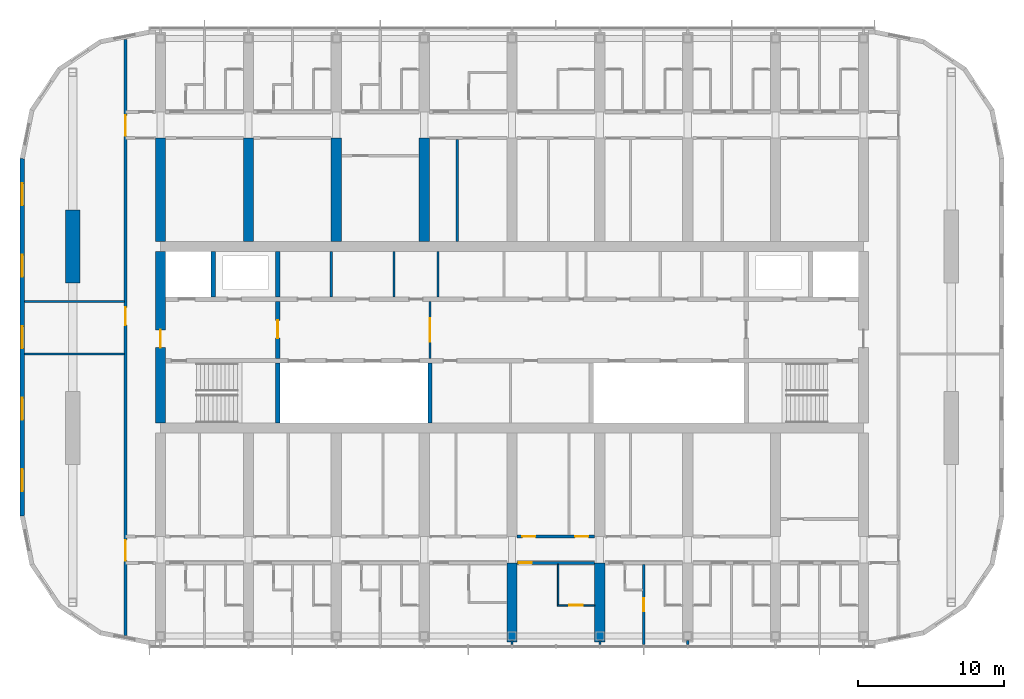
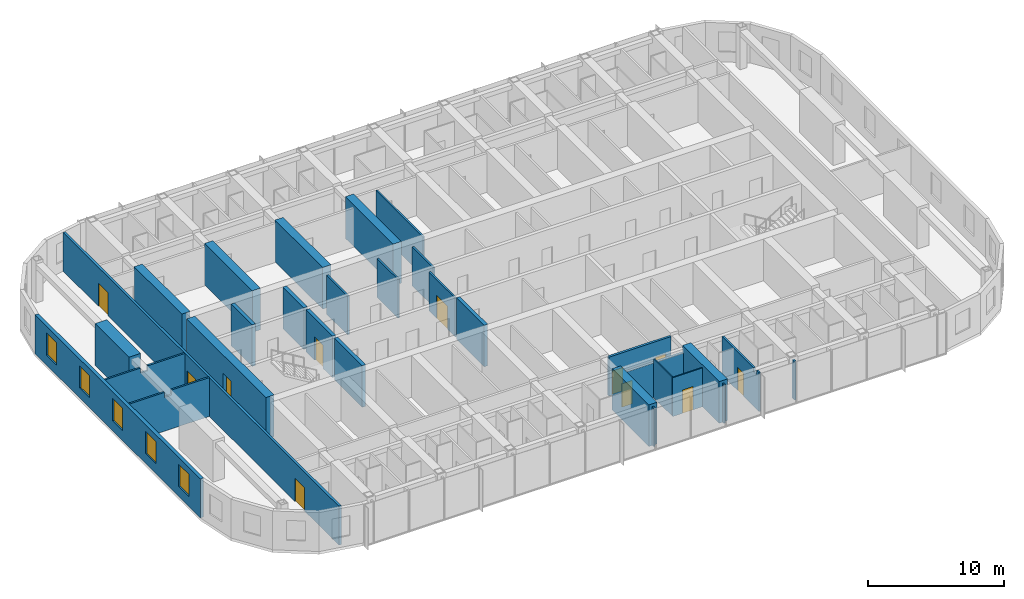
# One storey, part 12 of 24: 30 walls, 11 doors, 5 windows, 16 openings.
"""IFC4 building model written with IfcOpenShell, lengths in metres."""

from ifc_helpers import new_model, si_unit, direction, frame, frame_2d, origin, place, context, subcontext, project, spatial, polyline, rectangle, outline, extrude, material, layer, layer_set, type_object, element, fill, save


model = new_model("IFC4")

# Units and contexts
model_context = context("Model", 3, precision=1e-05, world=origin(), true_north=direction((0.0, 1.0)))
body_context = subcontext(model_context, "Body", "Model", "MODEL_VIEW")
ifc_project = project(units=[si_unit("LENGTHUNIT", "METRE"), si_unit("AREAUNIT", "SQUARE_METRE"), si_unit("VOLUMEUNIT", "CUBIC_METRE"), si_unit("PLANEANGLEUNIT", "RADIAN"), si_unit("MASSUNIT", "GRAM", prefix="KILO")], contexts=[model_context])

# Site, building, storey
site_placement = place(None, origin())
site = spatial("IfcSite", under=ifc_project, at=site_placement, CompositionType="ELEMENT")
building_placement = place(site_placement, origin())
building = spatial("IfcBuilding", under=site, at=building_placement, Name="Orbita Commons", CompositionType="ELEMENT")
storey_placement = place(building_placement, frame((0.0, 0.0, 239.050048828125)))
storey = spatial("IfcBuildingStorey", under=building, at=storey_placement, Name="L59", CompositionType="ELEMENT", Elevation=239.050048828125)

# Wall
ifc_material_1 = material(Name="Concrete C50/60", Category="concrete")
ifc_layer_1 = layer(ifc_material_1, 0.300048828125)
ifc_layer_set_1 = layer_set([ifc_layer_1], Name="Concrete C50/60")
wall_type_1 = type_object("IfcWallType", Name="Core inner wall 300 C50/60", PredefinedType="SHEAR", material=ifc_layer_set_1)
wall_1_placement = place(storey_placement, frame((26.0, 26.14990234375, 0.0), z_axis=(0.0, 0.0, 1.0), x_axis=(0.0, 1.0, 0.0)))
element("IfcWall", 1, at=wall_1_placement, inside=storey, type_object=wall_type_1, Name="Stair S1 wall L59", PredefinedType="SHEAR", context=body_context, shape_type="SweptSolid", body=[
    extrude(rectangle(XDim=4.10009765625, YDim=0.300048828125, at=frame_2d((2.050048828125, 0.0))), origin(), (0.0, 0.0, 1.0), 3.75),
])

# Wall, opening, door
wall_2_placement = place(storey_placement, frame((26.0, 30.550048828125, 0.0), z_axis=(0.0, 0.0, 1.0), x_axis=(0.0, 1.0, 0.0)))
wall_2 = element("IfcWall", 2, at=wall_2_placement, inside=storey, type_object=wall_type_1, Name="Firefighting lobby wall west L59", PredefinedType="SHEAR", context=body_context, shape_type="SweptSolid", body=[
    extrude(rectangle(XDim=3.89990234375, YDim=0.300048828125, at=frame_2d((1.949951171875, 0.0))), origin(), (0.0, 0.0, 1.0), 3.75),
])
opening_1_placement = place(wall_2_placement, frame((1.39990234375, 0.0, 0.0)))
opening_1 = element("IfcOpeningElement", 3, at=opening_1_placement, cuts=wall_2, Name="Opening D04", PredefinedType="OPENING", context=body_context, shape_type="SweptSolid", body=[
    extrude(rectangle(XDim=1.199951171875, YDim=2.10009765625, at=frame_2d((0.60009765625, 1.050048828125))), frame((0.0, 0.159912109375, 0.0), z_axis=(0.0, -1.0, 0.0), x_axis=(1.0, 0.0, 0.0)), (0.0, 0.0, 1.0), 0.320068359375),
])
ifc_material_2 = material(Name="Steel-faced fire door leaf", Category="steel")
door_type_1 = type_object("IfcDoorType", Name="Service door 20 min 1200x2100", OperationType="SINGLE_SWING_LEFT", PredefinedType="DOOR", material=ifc_material_2)
door_1_placement = place(opening_1_placement, origin())
door_1 = element("IfcDoor", 4, at=door_1_placement, inside=storey, type_object=door_type_1, Name="Lift lobby door west", OperationType="SINGLE_SWING_LEFT", OverallHeight=2.10009765625, OverallWidth=1.199951171875, PredefinedType="DOOR", context=body_context, shape_type="SweptSolid", body=[
    extrude(rectangle(XDim=1.199951171875, YDim=2.10009765625, at=frame_2d((0.60009765625, 1.050048828125))), frame((0.0, 0.02490234375, 0.0), z_axis=(0.0, -1.0, 0.0), x_axis=(1.0, 0.0, 0.0)), (0.0, 0.0, 1.0), 0.050048828125),
])
fill(opening_1, door_1)

# Walls
for number, where, z_axis, x_axis, name in (
    (5, (21.60009765625, 34.75, 0.0), (0.0, 0.0, 1.0), (0.0, 1.0, 0.0), "Firefighting lift FL1 shaft wall L59"),
    (6, (26.0, 34.75, 0.0), (0.0, 0.0, 1.0), (0.0, 1.0, 0.0), "Riser wall west L59"),
):
    element("IfcWall", number, at=place(storey_placement, frame(where, z_axis=z_axis, x_axis=x_axis)), inside=storey, type_object=wall_type_1, Name=name, PredefinedType="SHEAR", context=body_context, shape_type="SweptSolid", body=[
        extrude(rectangle(XDim=3.10009765625, YDim=0.300048828125, at=frame_2d((1.550048828125, 0.0))), origin(), (0.0, 0.0, 1.0), 3.75),
    ])
wall_3_placement = place(storey_placement, frame((36.39990234375, 26.14990234375, 0.0), z_axis=(0.0, 0.0, 1.0), x_axis=(0.0, 1.0, 0.0)))
element("IfcWall", 7, at=wall_3_placement, inside=storey, type_object=wall_type_1, Name="Hoistway division wall L59", PredefinedType="SHEAR", context=body_context, shape_type="SweptSolid", body=[
    extrude(rectangle(XDim=4.10009765625, YDim=0.300048828125, at=frame_2d((2.050048828125, 0.0))), origin(), (0.0, 0.0, 1.0), 3.75),
])

# Wall, opening, door
ifc_material_3 = material(Name="Concrete blockwork", Category="masonry")
ifc_layer_2 = layer(ifc_material_3, 0.14990234375)
ifc_layer_set_2 = layer_set([ifc_layer_2], Name="Concrete blockwork")
wall_type_2 = type_object("IfcWallType", Name="Core partition 150 blockwork", PredefinedType="SOLIDWALL", material=ifc_layer_set_2)
wall_4_placement = place(storey_placement, frame((36.39990234375, 30.550048828125, 0.0), z_axis=(0.0, 0.0, 1.0), x_axis=(0.0, 1.0, 0.0)))
wall_4 = element("IfcWall", 8, at=wall_4_placement, inside=storey, type_object=wall_type_2, Name="Core partition 150 blockwork L59", PredefinedType="SOLIDWALL", context=body_context, shape_type="SweptSolid", body=[
    extrude(rectangle(XDim=3.89990234375, YDim=0.14990234375, at=frame_2d((1.949951171875, 0.0))), origin(), (0.0, 0.0, 1.0), 3.5),
])
opening_2_placement = place(wall_4_placement, frame((1.14990234375, 0.0, 0.0)))
opening_2 = element("IfcOpeningElement", 9, at=opening_2_placement, cuts=wall_4, Name="Opening D10", PredefinedType="OPENING", context=body_context, shape_type="SweptSolid", body=[
    extrude(rectangle(XDim=1.60009765625, YDim=2.10009765625, at=frame_2d((0.800048828125, 1.050048828125))), frame((0.0, 0.0849609375, 0.0), z_axis=(0.0, -1.0, 0.0), x_axis=(1.0, 0.0, 0.0)), (0.0, 0.0, 1.0), 0.169921875),
])
ifc_material_4 = material(Name="Steel-faced fire door leaf", Category="steel")
door_type_2 = type_object("IfcDoorType", Name="Double corridor door 20 min 1600x2100", OperationType="DOUBLE_DOOR_SINGLE_SWING", PredefinedType="DOOR", material=ifc_material_4)
door_2_placement = place(opening_2_placement, origin())
door_2 = element("IfcDoor", 10, at=door_2_placement, inside=storey, type_object=door_type_2, Name="Lift lobby screen doors", OperationType="DOUBLE_DOOR_SINGLE_SWING", OverallHeight=2.10009765625, OverallWidth=1.60009765625, PredefinedType="DOOR", context=body_context, shape_type="SweptSolid", body=[
    extrude(rectangle(XDim=1.60009765625, YDim=2.10009765625, at=frame_2d((0.800048828125, 1.050048828125))), frame((0.0, 0.02490234375, 0.0), z_axis=(0.0, -1.0, 0.0), x_axis=(1.0, 0.0, 0.0)), (0.0, 0.0, 1.0), 0.050048828125),
])
fill(opening_2, door_2)

# Walls
for number, where, z_axis, x_axis, name in (
    (11, (29.65087890625, 34.75, 0.0), (0.0, 0.0, 1.0), (0.0, 1.0, 0.0), "Core partition 150 blockwork L59"),
    (12, (33.9462890625, 34.75, 0.0), (0.0, 0.0, 1.0), (0.0, 1.0, 0.0), "Core partition 150 blockwork L59"),
    (13, (36.9462890625, 34.75, 0.0), (0.0, 0.0, 1.0), (0.0, 1.0, 0.0), "Core partition 150 blockwork L59"),
):
    element("IfcWall", number, at=place(storey_placement, frame(where, z_axis=z_axis, x_axis=x_axis)), inside=storey, type_object=wall_type_2, Name=name, PredefinedType="SOLIDWALL", context=body_context, shape_type="SweptSolid", body=[
        extrude(rectangle(XDim=3.10009765625, YDim=0.14990234375, at=frame_2d((1.550048828125, 0.0))), origin(), (0.0, 0.0, 1.0), 3.5),
    ])

# Wall, opening, door
ifc_material_5 = material(Name="Concrete C50/60", Category="concrete")
ifc_layer_3 = layer(ifc_material_5, 0.699951171875)
ifc_layer_set_3 = layer_set([ifc_layer_3], Name="Concrete C50/60")
wall_type_3 = type_object("IfcWallType", Name="Core wall 700 C50/60", PredefinedType="SHEAR", material=ifc_layer_set_3)
wall_5_placement = place(storey_placement, frame((18.0, 26.14990234375, 0.0), z_axis=(0.0, 0.0, 1.0), x_axis=(0.0, 1.0, 0.0)))
wall_5 = element("IfcWall", 14, at=wall_5_placement, inside=storey, type_object=wall_type_3, Name="Core end wall west L59", PredefinedType="SHEAR", context=body_context, shape_type="SweptSolid", body=[
    extrude(rectangle(XDim=11.7001953125, YDim=0.699951171875, at=frame_2d((5.85009765625, 0.0))), origin(), (0.0, 0.0, 1.0), 3.75),
])
opening_3_placement = place(wall_5_placement, frame((5.14990234375, 0.0, 0.0)))
opening_3 = element("IfcOpeningElement", 15, at=opening_3_placement, cuts=wall_5, Name="Opening D01", PredefinedType="OPENING", context=body_context, shape_type="SweptSolid", body=[
    extrude(rectangle(XDim=1.199951171875, YDim=2.10009765625, at=frame_2d((0.60009765625, 1.050048828125))), frame((0.0, 0.35986328125, 0.0), z_axis=(0.0, -1.0, 0.0), x_axis=(1.0, 0.0, 0.0)), (0.0, 0.0, 1.0), 0.719970703125),
])
ifc_material_6 = material(Name="Steel-faced fire door leaf", Category="steel")
door_type_3 = type_object("IfcDoorType", Name="Fire door 90 min 1200x2100", OperationType="SINGLE_SWING_LEFT", PredefinedType="DOOR", material=ifc_material_6)
door_3_placement = place(opening_3_placement, origin())
door_3 = element("IfcDoor", 16, at=door_3_placement, inside=storey, type_object=door_type_3, Name="Firefighting lobby west door", OperationType="SINGLE_SWING_LEFT", OverallHeight=2.10009765625, OverallWidth=1.199951171875, PredefinedType="DOOR", context=body_context, shape_type="SweptSolid", body=[
    extrude(rectangle(XDim=1.199951171875, YDim=2.10009765625, at=frame_2d((0.60009765625, 1.050048828125))), frame((0.0, 0.02490234375, 0.0), z_axis=(0.0, -1.0, 0.0), x_axis=(1.0, 0.0, 0.0)), (0.0, 0.0, 1.0), 0.050048828125),
])
fill(opening_3, door_3)

ifc_material_7 = material(Name="Concrete blockwork", Category="masonry")
ifc_layer_4 = layer(ifc_material_7, 0.199951171875)
ifc_layer_set_4 = layer_set([ifc_layer_4], Name="Concrete blockwork")
wall_type_4 = type_object("IfcWallType", Name="Corridor wall 200 blockwork", PredefinedType="SOLIDWALL", material=ifc_layer_set_4)
wall_6_placement = place(storey_placement, frame((42.35009765625, 16.60009765625, 0.0), z_axis=(0.0, 0.0, 1.0), x_axis=(1.0, 0.0, 0.0)))
wall_6 = element("IfcWall", 17, at=wall_6_placement, inside=storey, type_object=wall_type_4, Name="Corridor wall 200 blockwork L59", PredefinedType="SOLIDWALL", context=body_context, shape_type="SweptSolid", body=[
    extrude(outline(polyline([(0.0, 0.0), (5.2998046875, 0.0), (5.300048828125, 3.099853515625), (0.0, 3.099853515625), (0.0, 0.0)])), frame((0.0, 0.10009765625, 0.0), z_axis=(0.0, -1.0, 0.0), x_axis=(1.0, 0.0, 0.0)), (0.0, 0.0, 1.0), 0.199951171875),
])
opening_4_placement = place(wall_6_placement, frame((0.10009765625, 0.0, 0.0)))
opening_4 = element("IfcOpeningElement", 18, at=opening_4_placement, cuts=wall_6, Name="Opening D11", PredefinedType="OPENING", context=body_context, shape_type="SweptSolid", body=[
    extrude(rectangle(XDim=0.89990234375, YDim=2.10009765625, at=frame_2d((0.449951171875, 1.050048828125))), frame((0.0, 0.10986328125, 0.0), z_axis=(0.0, -1.0, 0.0), x_axis=(1.0, 0.0, 0.0)), (0.0, 0.0, 1.0), 0.219970703125),
])
ifc_material_8 = material(Name="Steel-faced fire door leaf", Category="steel")
door_type_4 = type_object("IfcDoorType", Name="Corridor door 20 min 900x2100", OperationType="SINGLE_SWING_LEFT", PredefinedType="DOOR", material=ifc_material_8)
door_4_placement = place(opening_4_placement, origin())
door_4 = element("IfcDoor", 19, at=door_4_placement, inside=storey, type_object=door_type_4, Name="Studio apartment with kitchenette L59-S08 door", OperationType="SINGLE_SWING_LEFT", OverallHeight=2.10009765625, OverallWidth=0.89990234375, PredefinedType="DOOR", context=body_context, shape_type="SweptSolid", body=[
    extrude(rectangle(XDim=0.89990234375, YDim=2.10009765625, at=frame_2d((0.449951171875, 1.050048828125))), frame((0.0, 0.02490234375, 0.0), z_axis=(0.0, -1.0, 0.0), x_axis=(1.0, 0.0, 0.0)), (0.0, 0.0, 1.0), 0.050048828125),
])
fill(opening_4, door_4)

# Wall, openings, doors
wall_7_placement = place(storey_placement, frame((15.60009765625, 11.646240234375, 0.0), z_axis=(0.0, 0.0, 1.0), x_axis=(0.0, 1.0, 0.0)))
wall_7 = element("IfcWall", 20, at=wall_7_placement, inside=storey, type_object=wall_type_4, Name="Corridor wall 200 blockwork L59", PredefinedType="SOLIDWALL", context=body_context, shape_type="SweptSolid", body=[
    extrude(rectangle(XDim=40.70751953125, YDim=0.199951171875, at=frame_2d((20.353759765625, 0.0))), origin(), (0.0, 0.0, 1.0), 3.5),
])
opening_5_placement = place(wall_7_placement, frame((21.19384765625, 0.0, 0.0)))
opening_5 = element("IfcOpeningElement", 21, at=opening_5_placement, cuts=wall_7, Name="Opening D15", PredefinedType="OPENING", context=body_context, shape_type="SweptSolid", body=[
    extrude(rectangle(XDim=1.199951171875, YDim=2.10009765625, at=frame_2d((0.60009765625, 1.050048828125))), frame((0.0, 0.10986328125, 0.0), z_axis=(0.0, -1.0, 0.0), x_axis=(1.0, 0.0, 0.0)), (0.0, 0.0, 1.0), 0.219970703125),
])
opening_6_placement = place(wall_7_placement, frame((5.103759765625, 0.0, 0.0)))
opening_6 = element("IfcOpeningElement", 22, at=opening_6_placement, cuts=wall_7, Name="Opening D08", PredefinedType="OPENING", context=body_context, shape_type="SweptSolid", body=[
    extrude(rectangle(XDim=1.39990234375, YDim=2.10009765625, at=frame_2d((0.699951171875, 1.050048828125))), frame((0.0, 0.10986328125, 0.0), z_axis=(0.0, -1.0, 0.0), x_axis=(1.0, 0.0, 0.0)), (0.0, 0.0, 1.0), 0.219970703125),
])
opening_7_placement = place(wall_7_placement, frame((34.103759765625, 0.0, 0.0)))
opening_7 = element("IfcOpeningElement", 23, at=opening_7_placement, cuts=wall_7, Name="Opening D08", PredefinedType="OPENING", context=body_context, shape_type="SweptSolid", body=[
    extrude(rectangle(XDim=1.39990234375, YDim=2.10009765625, at=frame_2d((0.699951171875, 1.050048828125))), frame((0.0, 0.10986328125, 0.0), z_axis=(0.0, -1.0, 0.0), x_axis=(1.0, 0.0, 0.0)), (0.0, 0.0, 1.0), 0.219970703125),
])
ifc_material_9 = material(Name="Steel-faced fire door leaf", Category="steel")
door_type_5 = type_object("IfcDoorType", Name="Corridor door 20 min 1200x2100", OperationType="SINGLE_SWING_LEFT", PredefinedType="DOOR", material=ifc_material_9)
door_5_placement = place(opening_5_placement, origin())
door_5 = element("IfcDoor", 24, at=door_5_placement, inside=storey, type_object=door_type_5, Name="Floor kitchen door", OperationType="SINGLE_SWING_LEFT", OverallHeight=2.10009765625, OverallWidth=1.199951171875, PredefinedType="DOOR", context=body_context, shape_type="SweptSolid", body=[
    extrude(rectangle(XDim=1.199951171875, YDim=2.10009765625, at=frame_2d((0.60009765625, 1.050048828125))), frame((0.0, 0.02490234375, 0.0), z_axis=(0.0, -1.0, 0.0), x_axis=(1.0, 0.0, 0.0)), (0.0, 0.0, 1.0), 0.050048828125),
])
fill(opening_5, door_5)
ifc_material_10 = material(Name="Steel-faced fire door leaf", Category="steel")
door_type_6 = type_object("IfcDoorType", Name="Double corridor door 20 min 1400x2100", OperationType="DOUBLE_DOOR_SINGLE_SWING", PredefinedType="DOOR", material=ifc_material_10)
door_6_placement = place(opening_6_placement, origin())
door_6 = element("IfcDoor", 25, at=door_6_placement, inside=storey, type_object=door_type_6, Name="Lounge doors", OperationType="DOUBLE_DOOR_SINGLE_SWING", OverallHeight=2.10009765625, OverallWidth=1.39990234375, PredefinedType="DOOR", context=body_context, shape_type="SweptSolid", body=[
    extrude(rectangle(XDim=1.39990234375, YDim=2.10009765625, at=frame_2d((0.699951171875, 1.050048828125))), frame((0.0, 0.02490234375, 0.0), z_axis=(0.0, -1.0, 0.0), x_axis=(1.0, 0.0, 0.0)), (0.0, 0.0, 1.0), 0.050048828125),
])
fill(opening_6, door_6)
door_7_placement = place(opening_7_placement, origin())
door_7 = element("IfcDoor", 26, at=door_7_placement, inside=storey, type_object=door_type_6, Name="Lounge doors", OperationType="DOUBLE_DOOR_SINGLE_SWING", OverallHeight=2.10009765625, OverallWidth=1.39990234375, PredefinedType="DOOR", context=body_context, shape_type="SweptSolid", body=[
    extrude(rectangle(XDim=1.39990234375, YDim=2.10009765625, at=frame_2d((0.699951171875, 1.050048828125))), frame((0.0, 0.02490234375, 0.0), z_axis=(0.0, -1.0, 0.0), x_axis=(1.0, 0.0, 0.0)), (0.0, 0.0, 1.0), 0.050048828125),
])
fill(opening_7, door_7)

ifc_material_11 = material(Name="Hollow concrete block 200", Category="concrete")
ifc_layer_5 = layer(ifc_material_11, 0.199951171875)
ifc_layer_set_5 = layer_set([ifc_layer_5], Name="Hollow concrete block 200")
wall_type_5 = type_object("IfcWallType", Name="Corridor wall 200 hollow concrete block", PredefinedType="SOLIDWALL", material=ifc_layer_set_5)
wall_8_placement = place(storey_placement, frame((42.35009765625, 18.39990234375, 0.0), z_axis=(0.0, 0.0, 1.0), x_axis=(1.0, 0.0, 0.0)))
wall_8 = element("IfcWall", 27, at=wall_8_placement, inside=storey, type_object=wall_type_5, Name="Corridor wall 200 hollow concrete block L59", PredefinedType="SOLIDWALL", context=body_context, shape_type="SweptSolid", body=[
    extrude(rectangle(XDim=5.2998046875, YDim=0.199951171875, at=frame_2d((2.64990234375, 0.0))), origin(), (0.0, 0.0, 1.0), 3.5),
])
opening_8_placement = place(wall_8_placement, frame((0.35009765625, 0.0, 0.0)))
opening_8 = element("IfcOpeningElement", 28, at=opening_8_placement, cuts=wall_8, Name="Opening D11", PredefinedType="OPENING", context=body_context, shape_type="SweptSolid", body=[
    extrude(rectangle(XDim=0.89990234375, YDim=2.10009765625, at=frame_2d((0.449951171875, 1.050048828125))), frame((0.0, 0.10986328125, 0.0), z_axis=(0.0, -1.0, 0.0), x_axis=(1.0, 0.0, 0.0)), (0.0, 0.0, 1.0), 0.219970703125),
])
opening_9_placement = place(wall_8_placement, frame((3.9599609375, 0.0, 0.0)))
opening_9 = element("IfcOpeningElement", 29, at=opening_9_placement, cuts=wall_8, Name="Opening D11", PredefinedType="OPENING", context=body_context, shape_type="SweptSolid", body=[
    extrude(rectangle(XDim=0.89990234375, YDim=2.10009765625, at=frame_2d((0.449951171875, 1.050048828125))), frame((0.0, 0.10986328125, 0.0), z_axis=(0.0, -1.0, 0.0), x_axis=(1.0, 0.0, 0.0)), (0.0, 0.0, 1.0), 0.219970703125),
])
door_8_placement = place(opening_8_placement, origin())
door_8 = element("IfcDoor", 30, at=door_8_placement, inside=storey, type_object=door_type_4, Name="Linen store L59-BDS42 door", OperationType="SINGLE_SWING_LEFT", OverallHeight=2.10009765625, OverallWidth=0.89990234375, PredefinedType="DOOR", context=body_context, shape_type="SweptSolid", body=[
    extrude(rectangle(XDim=0.89990234375, YDim=2.10009765625, at=frame_2d((0.449951171875, 1.050048828125))), frame((0.0, 0.02490234375, 0.0), z_axis=(0.0, -1.0, 0.0), x_axis=(1.0, 0.0, 0.0)), (0.0, 0.0, 1.0), 0.050048828125),
])
fill(opening_8, door_8)
door_9_placement = place(opening_9_placement, origin())
door_9 = element("IfcDoor", 31, at=door_9_placement, inside=storey, type_object=door_type_4, Name="Battery and UPS room L59-BDS42n door", OperationType="SINGLE_SWING_LEFT", OverallHeight=2.10009765625, OverallWidth=0.89990234375, PredefinedType="DOOR", context=body_context, shape_type="SweptSolid", body=[
    extrude(rectangle(XDim=0.89990234375, YDim=2.10009765625, at=frame_2d((0.449951171875, 1.050048828125))), frame((0.0, 0.02490234375, 0.0), z_axis=(0.0, -1.0, 0.0), x_axis=(1.0, 0.0, 0.0)), (0.0, 0.0, 1.0), 0.050048828125),
])
fill(opening_9, door_9)

# Walls
ifc_material_12 = material(Name="Concrete C50/60", Category="concrete")
ifc_layer_6 = layer(ifc_material_12, 0.699951171875)
ifc_layer_set_6 = layer_set([ifc_layer_6], Name="Concrete C50/60")
wall_type_6 = type_object("IfcWallType", Name="Cross wall 700 C50/60", PredefinedType="SHEAR", material=ifc_layer_set_6)
for number, where, z_axis, x_axis, name in (
    (32, (18.0, 38.550048828125, 0.0), (0.0, 0.0, 1.0), (0.0, 1.0, 0.0), "Cross wall 4 north inner L59"),
    (33, (24.0, 38.550048828125, 0.0), (0.0, 0.0, 1.0), (0.0, 1.0, 0.0), "Cross wall 5 north inner L59"),
    (34, (30.0, 38.550048828125, 0.0), (0.0, 0.0, 1.0), (0.0, 1.0, 0.0), "Cross wall 6 north inner L59"),
    (35, (36.0, 38.550048828125, 0.0), (0.0, 0.0, 1.0), (0.0, 1.0, 0.0), "Cross wall 7 north inner L59"),
):
    element("IfcWall", number, at=place(storey_placement, frame(where, z_axis=z_axis, x_axis=x_axis)), inside=storey, type_object=wall_type_6, Name=name, PredefinedType="SHEAR", context=body_context, shape_type="SweptSolid", body=[
        extrude(rectangle(XDim=7.050048828125, YDim=0.699951171875, at=frame_2d((3.52490234375, 0.0))), origin(), (0.0, 0.0, 1.0), 3.75),
    ])
for number, where, z_axis, x_axis, name in (
    (36, (42.0, 11.199951171875, 0.0), (0.0, 0.0, 1.0), (0.0, 1.0, 0.0), "Cross wall 8 south outer L59"),
    (37, (48.0, 11.199951171875, 0.0), (0.0, 0.0, 1.0), (0.0, 1.0, 0.0), "Cross wall 9 south outer L59"),
):
    element("IfcWall", number, at=place(storey_placement, frame(where, z_axis=z_axis, x_axis=x_axis)), inside=storey, type_object=wall_type_6, Name=name, PredefinedType="SHEAR", context=body_context, shape_type="SweptSolid", body=[
        extrude(rectangle(XDim=5.400146484375, YDim=0.699951171875, at=frame_2d((2.7001953125, 0.0))), origin(), (0.0, 0.0, 1.0), 3.75),
    ])

# Wall, opening, door
ifc_material_13 = material(Name="Moisture-resistant plasterboard on steel studs", Category="steel")
ifc_layer_7 = layer(ifc_material_13, 0.10009765625)
ifc_layer_set_7 = layer_set([ifc_layer_7], Name="Moisture-resistant plasterboard on steel studs")
wall_type_7 = type_object("IfcWallType", Name="En-suite partition 100", PredefinedType="PARTITIONING", material=ifc_layer_set_7)
wall_9_placement = place(storey_placement, frame((47.64990234375, 13.699951171875, 0.0), z_axis=(0.0, 0.0, 1.0), x_axis=(-1.0, 0.0, 0.0)))
wall_9 = element("IfcWall", 38, at=wall_9_placement, inside=storey, type_object=wall_type_7, Name="En-suite partition 100 L59", PredefinedType="PARTITIONING", context=body_context, shape_type="SweptSolid", body=[
    extrude(rectangle(XDim=2.5498046875, YDim=0.10009765625, at=frame_2d((1.27490234375, 0.0))), origin(), (0.0, 0.0, 1.0), 3.5),
])
opening_10_placement = place(wall_9_placement, frame((0.824951171875, 0.0, 0.0)))
opening_10 = element("IfcOpeningElement", 39, at=opening_10_placement, cuts=wall_9, Name="Opening D09", PredefinedType="OPENING", context=body_context, shape_type="SweptSolid", body=[
    extrude(rectangle(XDim=0.89990234375, YDim=2.10009765625, at=frame_2d((0.449951171875, 1.050048828125))), frame((0.0, 0.06005859375, 0.0), z_axis=(0.0, -1.0, 0.0), x_axis=(1.0, 0.0, 0.0)), (0.0, 0.0, 1.0), 0.1201171875),
])
ifc_material_14 = material(Name="Laminated timber door leaf", Category="wood")
door_type_7 = type_object("IfcDoorType", Name="En-suite door 900x2100", OperationType="SINGLE_SWING_RIGHT", PredefinedType="DOOR", material=ifc_material_14)
door_10_placement = place(opening_10_placement, origin())
door_10 = element("IfcDoor", 40, at=door_10_placement, inside=storey, type_object=door_type_7, Name="En-suite L59-S08 door", OperationType="SINGLE_SWING_RIGHT", OverallHeight=2.10009765625, OverallWidth=0.89990234375, PredefinedType="DOOR", context=body_context, shape_type="SweptSolid", body=[
    extrude(rectangle(XDim=0.89990234375, YDim=2.10009765625, at=frame_2d((0.449951171875, 1.050048828125))), frame((0.0, 0.02490234375, 0.0), z_axis=(0.0, -1.0, 0.0), x_axis=(1.0, 0.0, 0.0)), (0.0, 0.0, 1.0), 0.050048828125),
])
fill(opening_10, door_10)

# Walls
wall_10_placement = place(storey_placement, frame((45.14990234375, 13.75, 0.0), z_axis=(0.0, 0.0, 1.0), x_axis=(0.0, 1.0, 0.0)))
element("IfcWall", 41, at=wall_10_placement, inside=storey, type_object=wall_type_7, Name="En-suite partition 100 L59", PredefinedType="PARTITIONING", context=body_context, shape_type="SweptSolid", body=[
    extrude(outline(polyline([(0.0, 0.0), (2.75, 0.0), (2.75, 3.099853515625), (2.701904296875, 3.099853515625), (2.699951171875, 3.5), (0.0, 3.5), (0.0, 0.0)])), frame((0.0, 0.050048828125, 0.0), z_axis=(0.0, -1.0, 0.0), x_axis=(1.0, 0.0, 0.0)), (0.0, 0.0, 1.0), 0.10009765625),
])
ifc_material_15 = material(Name="Concrete C50/60", Category="concrete")
ifc_layer_8 = layer(ifc_material_15, 1.0)
ifc_layer_set_8 = layer_set([ifc_layer_8], Name="Concrete C50/60")
wall_type_8 = type_object("IfcWallType", Name="End pier 1000x5000 C50/60", PredefinedType="SHEAR", material=ifc_layer_set_8)
wall_11_placement = place(storey_placement, frame((12.0, 35.699951171875, 0.0), z_axis=(0.0, 0.0, 1.0), x_axis=(0.0, 1.0, 0.0)))
element("IfcWall", 42, at=wall_11_placement, inside=storey, type_object=wall_type_8, Name="End pier 3/D L59", PredefinedType="SHEAR", context=body_context, shape_type="SweptSolid", body=[
    extrude(rectangle(XDim=5.0, YDim=1.0, at=frame_2d((2.5, 0.0))), origin(), (0.0, 0.0, 1.0), 3.75),
])

# Wall, opening, door
ifc_material_16 = material(Name="Gypsum plasterboard on steel studs", Category="steel")
ifc_layer_9 = layer(ifc_material_16, 0.14990234375)
ifc_layer_set_9 = layer_set([ifc_layer_9], Name="Gypsum plasterboard on steel studs")
wall_type_9 = type_object("IfcWallType", Name="Partition 150 plasterboard", PredefinedType="PARTITIONING", material=ifc_layer_set_9)
wall_12_placement = place(storey_placement, frame((51.0, 11.010009765625, 0.0), z_axis=(0.0, 0.0, 1.0), x_axis=(0.0, 1.0, 0.0)))
wall_12 = element("IfcWall", 43, at=wall_12_placement, inside=storey, type_object=wall_type_9, Name="Partition 150 plasterboard L59", PredefinedType="PARTITIONING", context=body_context, shape_type="SweptSolid", body=[
    extrude(outline(polyline([(0.0, 0.0), (5.489990234375, 0.0), (5.489990234375, 3.099853515625), (5.44189453125, 3.099853515625), (5.43994140625, 3.5), (0.7919921875, 3.5), (0.7900390625, 3.099853515625), (0.39208984375, 3.099853515625), (0.389892578125, 3.5), (0.0, 3.5), (0.0, 0.0)])), frame((0.0, 0.074951171875, 0.0), z_axis=(0.0, -1.0, 0.0), x_axis=(1.0, 0.0, 0.0)), (0.0, 0.0, 1.0), 0.14990234375),
])
opening_11_placement = place(wall_12_placement, frame((2.27001953125, 0.0, 0.0)))
opening_11 = element("IfcOpeningElement", 44, at=opening_11_placement, cuts=wall_12, Name="Opening D09", PredefinedType="OPENING", context=body_context, shape_type="SweptSolid", body=[
    extrude(rectangle(XDim=0.89990234375, YDim=2.10009765625, at=frame_2d((0.449951171875, 1.050048828125))), frame((0.0, 0.0849609375, 0.0), z_axis=(0.0, -1.0, 0.0), x_axis=(1.0, 0.0, 0.0)), (0.0, 0.0, 1.0), 0.169921875),
])
door_11_placement = place(opening_11_placement, origin())
door_11 = element("IfcDoor", 45, at=door_11_placement, inside=storey, type_object=door_type_7, Name="Guest suite bedroom L59-S10 door", OperationType="SINGLE_SWING_RIGHT", OverallHeight=2.10009765625, OverallWidth=0.89990234375, PredefinedType="DOOR", context=body_context, shape_type="SweptSolid", body=[
    extrude(rectangle(XDim=0.89990234375, YDim=2.10009765625, at=frame_2d((0.449951171875, 1.050048828125))), frame((0.0, 0.02490234375, 0.0), z_axis=(0.0, -1.0, 0.0), x_axis=(1.0, 0.0, 0.0)), (0.0, 0.0, 1.0), 0.050048828125),
])
fill(opening_11, door_11)

# Walls
wall_13_placement = place(storey_placement, frame((38.264892578125, 38.550048828125, 0.0), z_axis=(0.0, 0.0, 1.0), x_axis=(0.0, 1.0, 0.0)))
element("IfcWall", 46, at=wall_13_placement, inside=storey, type_object=wall_type_9, Name="Partition 150 plasterboard L59", PredefinedType="PARTITIONING", context=body_context, shape_type="SweptSolid", body=[
    extrude(rectangle(XDim=6.949951171875, YDim=0.14990234375, at=frame_2d((3.47509765625, 0.0))), origin(), (0.0, 0.0, 1.0), 3.5),
])
for number, where, z_axis, x_axis, name in (
    (47, (8.705078125, 30.85009765625, 0.0), (0.0, 0.0, 1.0), (1.0, 0.0, 0.0), "Partition 150 plasterboard L59"),
    (48, (8.705078125, 34.43994140625, 0.0), (0.0, 0.0, 1.0), (1.0, 0.0, 0.0), "Partition 150 plasterboard L59"),
):
    element("IfcWall", number, at=place(storey_placement, frame(where, z_axis=z_axis, x_axis=x_axis)), inside=storey, type_object=wall_type_9, Name=name, PredefinedType="PARTITIONING", context=body_context, shape_type="SweptSolid", body=[
        extrude(outline(polyline([(0.0, 0.0), (6.81982421875, 0.0), (6.820068359375, 3.5), (3.596923828125, 3.5), (3.594970703125, 3.050048828125), (2.9970703125, 3.050048828125), (2.9951171875, 3.5), (0.0, 3.5), (0.0, 0.0)])), frame((0.0, 0.074951171875, 0.0), z_axis=(0.0, -1.0, 0.0), x_axis=(1.0, 0.0, 0.0)), (0.0, 0.0, 1.0), 0.14990234375),
    ])
for number, where, z_axis, x_axis, name in (
    (49, (42.0, 11.300048828125, 0.0), (0.0, 0.0, 1.0), (0.0, -1.0, 0.0), "Partition 150 plasterboard L59"),
    (50, (48.0, 11.300048828125, 0.0), (0.0, 0.0, 1.0), (0.0, -1.0, 0.0), "Partition 150 plasterboard L59"),
    (51, (54.0, 11.300048828125, 0.0), (0.0, 0.0, 1.0), (0.0, -1.0, 0.0), "Partition 150 plasterboard L59"),
):
    element("IfcWall", number, at=place(storey_placement, frame(where, z_axis=z_axis, x_axis=x_axis)), inside=storey, type_object=wall_type_9, Name=name, PredefinedType="PARTITIONING", context=body_context, shape_type="SweptSolid", body=[
        extrude(rectangle(XDim=0.2900390625, YDim=0.14990234375, at=frame_2d((0.14501953125, 0.0))), origin(), (0.0, 0.0, 1.0), 3.5),
    ])

# Wall, openings, windows
ifc_material_17 = material(Name="Precast concrete C40/50, white board-marked finish", Category="concrete")
ifc_layer_10 = layer(ifc_material_17, 0.300048828125)
ifc_layer_set_10 = layer_set([ifc_layer_10], Name="Precast concrete C40/50, white board-marked finish")
wall_type_10 = type_object("IfcWallType", Name="Precast concrete end shield 300", PredefinedType="SOLIDWALL", material=ifc_layer_set_10)
wall_14_placement = place(storey_placement, frame((8.550048828125, 44.199951171875, 0.0), z_axis=(0.0, 0.0, 1.0), x_axis=(0.0, -1.0, 0.0)))
wall_14 = element("IfcWall", 52, at=wall_14_placement, inside=storey, type_object=wall_type_10, Name="End shield W L59", PredefinedType="SOLIDWALL", context=body_context, shape_type="SweptSolid", body=[
    extrude(outline(polyline([(-0.014892578125, -0.14990234375), (24.414794921875, -0.14990234375), (24.385009765625, 0.14990234375), (0.014892578125, 0.14990234375), (-0.014892578125, -0.14990234375)])), origin(), (0.0, 0.0, 1.0), 3.5),
])
opening_12_placement = place(wall_14_placement, frame((1.68994140625, 0.0, 0.89990234375)))
opening_12 = element("IfcOpeningElement", 53, at=opening_12_placement, cuts=wall_14, Name="Opening W01", PredefinedType="OPENING", context=body_context, shape_type="SweptSolid", body=[
    extrude(rectangle(XDim=1.5, YDim=2.0, at=frame_2d((0.75, 1.0))), frame((0.0, 0.159912109375, 0.0), z_axis=(0.0, -1.0, 0.0), x_axis=(1.0, 0.0, 0.0)), (0.0, 0.0, 1.0), 0.320068359375),
])
opening_13_placement = place(wall_14_placement, frame((6.570068359375, 0.0, 0.89990234375)))
opening_13 = element("IfcOpeningElement", 54, at=opening_13_placement, cuts=wall_14, Name="Opening W01", PredefinedType="OPENING", context=body_context, shape_type="SweptSolid", body=[
    extrude(rectangle(XDim=1.5, YDim=2.0, at=frame_2d((0.75, 1.0))), frame((0.0, 0.159912109375, 0.0), z_axis=(0.0, -1.0, 0.0), x_axis=(1.0, 0.0, 0.0)), (0.0, 0.0, 1.0), 0.320068359375),
])
opening_14_placement = place(wall_14_placement, frame((11.449951171875, 0.0, 0.89990234375)))
opening_14 = element("IfcOpeningElement", 55, at=opening_14_placement, cuts=wall_14, Name="Opening W01", PredefinedType="OPENING", context=body_context, shape_type="SweptSolid", body=[
    extrude(rectangle(XDim=1.5, YDim=2.0, at=frame_2d((0.75, 1.0))), frame((0.0, 0.159912109375, 0.0), z_axis=(0.0, -1.0, 0.0), x_axis=(1.0, 0.0, 0.0)), (0.0, 0.0, 1.0), 0.320068359375),
])
opening_15_placement = place(wall_14_placement, frame((16.330078125, 0.0, 0.89990234375)))
opening_15 = element("IfcOpeningElement", 56, at=opening_15_placement, cuts=wall_14, Name="Opening W01", PredefinedType="OPENING", context=body_context, shape_type="SweptSolid", body=[
    extrude(rectangle(XDim=1.5, YDim=2.0, at=frame_2d((0.75, 1.0))), frame((0.0, 0.159912109375, 0.0), z_axis=(0.0, -1.0, 0.0), x_axis=(1.0, 0.0, 0.0)), (0.0, 0.0, 1.0), 0.320068359375),
])
opening_16_placement = place(wall_14_placement, frame((21.2099609375, 0.0, 0.89990234375)))
opening_16 = element("IfcOpeningElement", 57, at=opening_16_placement, cuts=wall_14, Name="Opening W01", PredefinedType="OPENING", context=body_context, shape_type="SweptSolid", body=[
    extrude(rectangle(XDim=1.5, YDim=2.0, at=frame_2d((0.75, 1.0))), frame((0.0, 0.159912109375, 0.0), z_axis=(0.0, -1.0, 0.0), x_axis=(1.0, 0.0, 0.0)), (0.0, 0.0, 1.0), 0.320068359375),
])
ifc_material_18 = material(Name="Aluminium frame, clear double glazing", Category="aluminium")
window_type = type_object("IfcWindowType", Name="Deep-set window 1500x2000", PartitioningType="SINGLE_PANEL", PredefinedType="WINDOW", material=ifc_material_18)
window_1_placement = place(opening_12_placement, origin())
window_1 = element("IfcWindow", 58, at=window_1_placement, inside=storey, type_object=window_type, Name="Window L59-W 1", OverallHeight=2.0, OverallWidth=1.5, PartitioningType="SINGLE_PANEL", PredefinedType="WINDOW", context=body_context, shape_type="SweptSolid", body=[
    extrude(rectangle(XDim=1.5, YDim=2.0, at=frame_2d((0.75, 1.0))), frame((0.0, 0.030029296875, 0.0), z_axis=(0.0, -1.0, 0.0), x_axis=(1.0, 0.0, 0.0)), (0.0, 0.0, 1.0), 0.06005859375),
])
fill(opening_12, window_1)
window_2_placement = place(opening_13_placement, origin())
window_2 = element("IfcWindow", 59, at=window_2_placement, inside=storey, type_object=window_type, Name="Window L59-W 2", OverallHeight=2.0, OverallWidth=1.5, PartitioningType="SINGLE_PANEL", PredefinedType="WINDOW", context=body_context, shape_type="SweptSolid", body=[
    extrude(rectangle(XDim=1.5, YDim=2.0, at=frame_2d((0.75, 1.0))), frame((0.0, 0.030029296875, 0.0), z_axis=(0.0, -1.0, 0.0), x_axis=(1.0, 0.0, 0.0)), (0.0, 0.0, 1.0), 0.06005859375),
])
fill(opening_13, window_2)
window_3_placement = place(opening_14_placement, origin())
window_3 = element("IfcWindow", 60, at=window_3_placement, inside=storey, type_object=window_type, Name="Window L59-W 3", OverallHeight=2.0, OverallWidth=1.5, PartitioningType="SINGLE_PANEL", PredefinedType="WINDOW", context=body_context, shape_type="SweptSolid", body=[
    extrude(rectangle(XDim=1.5, YDim=2.0, at=frame_2d((0.75, 1.0))), frame((0.0, 0.030029296875, 0.0), z_axis=(0.0, -1.0, 0.0), x_axis=(1.0, 0.0, 0.0)), (0.0, 0.0, 1.0), 0.06005859375),
])
fill(opening_14, window_3)
window_4_placement = place(opening_15_placement, origin())
window_4 = element("IfcWindow", 61, at=window_4_placement, inside=storey, type_object=window_type, Name="Window L59-W 4", OverallHeight=2.0, OverallWidth=1.5, PartitioningType="SINGLE_PANEL", PredefinedType="WINDOW", context=body_context, shape_type="SweptSolid", body=[
    extrude(rectangle(XDim=1.5, YDim=2.0, at=frame_2d((0.75, 1.0))), frame((0.0, 0.030029296875, 0.0), z_axis=(0.0, -1.0, 0.0), x_axis=(1.0, 0.0, 0.0)), (0.0, 0.0, 1.0), 0.06005859375),
])
fill(opening_15, window_4)
window_5_placement = place(opening_16_placement, origin())
window_5 = element("IfcWindow", 62, at=window_5_placement, inside=storey, type_object=window_type, Name="Window L59-W 5", OverallHeight=2.0, OverallWidth=1.5, PartitioningType="SINGLE_PANEL", PredefinedType="WINDOW", context=body_context, shape_type="SweptSolid", body=[
    extrude(rectangle(XDim=1.5, YDim=2.0, at=frame_2d((0.75, 1.0))), frame((0.0, 0.030029296875, 0.0), z_axis=(0.0, -1.0, 0.0), x_axis=(1.0, 0.0, 0.0)), (0.0, 0.0, 1.0), 0.06005859375),
])
fill(opening_16, window_5)

save(model, "model.ifc")
